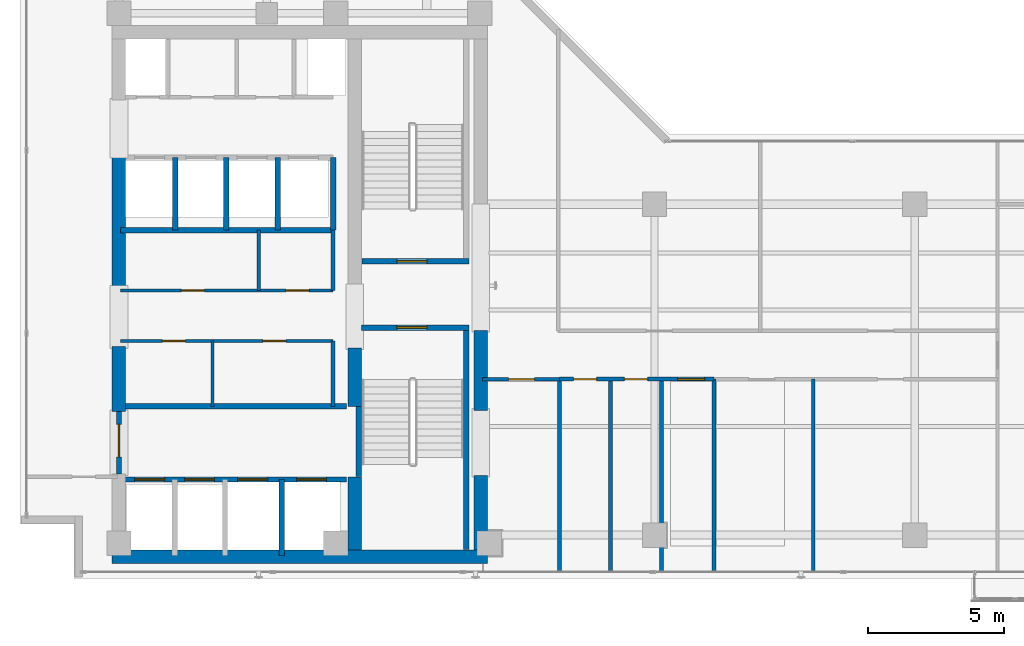
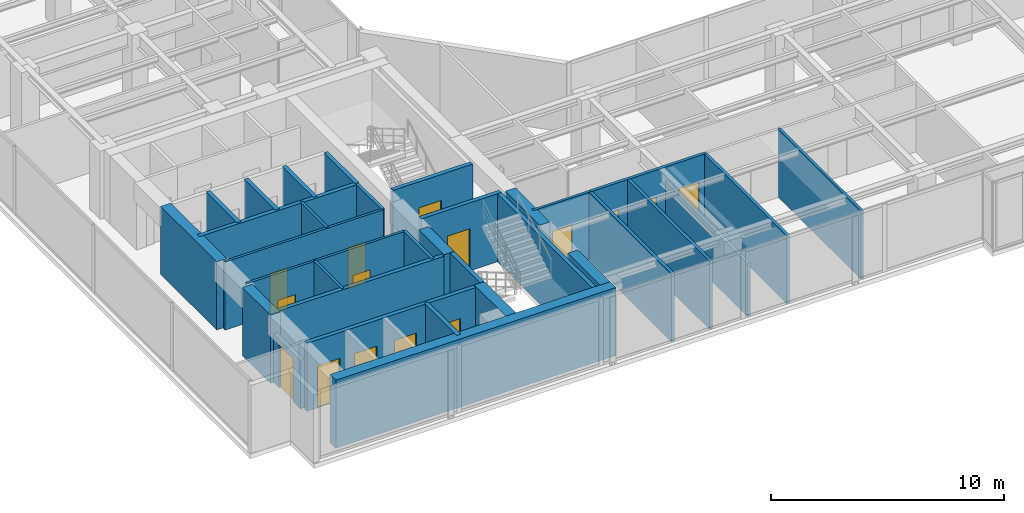
# One storey, part 16 of 22: 33 walls, 15 doors, 15 openings.
"""IFC4 building model written with IfcOpenShell, lengths in metres."""

from ifc_helpers import new_model, si_unit, direction, frame, frame_2d, origin, place, context, subcontext, project, spatial, rectangle, extrude, material, layer, layer_set, type_object, element, fill, save


model = new_model("IFC4")

# Units and contexts
model_context = context("Model", 3, precision=1e-05, world=origin(), true_north=direction((0.0, 1.0)))
body_context = subcontext(model_context, "Body", "Model", "MODEL_VIEW")
ifc_project = project(units=[si_unit("LENGTHUNIT", "METRE"), si_unit("AREAUNIT", "SQUARE_METRE"), si_unit("VOLUMEUNIT", "CUBIC_METRE"), si_unit("PLANEANGLEUNIT", "RADIAN"), si_unit("MASSUNIT", "GRAM", prefix="KILO")], contexts=[model_context])

# Site, building, storey
site_placement = place(None, origin())
site = spatial("IfcSite", under=ifc_project, at=site_placement, CompositionType="ELEMENT")
building_placement = place(site_placement, origin())
building = spatial("IfcBuilding", under=site, at=building_placement, Name="Kolvaren Waterfront Exchange", CompositionType="ELEMENT")
storey_placement = place(building_placement, frame((0.0, 0.0, 274.199951171875)))
storey = spatial("IfcBuildingStorey", under=building, at=storey_placement, Name="L70", CompositionType="ELEMENT", Elevation=274.199951171875)

# Wall, opening, door
ifc_material_1 = material(Name="Precast concrete C40/50", Category="concrete")
ifc_layer_1 = layer(ifc_material_1, 0.199951171875, Name="Precast concrete C40/50")
ifc_layer_set_1 = layer_set([ifc_layer_1], Name="Precast concrete C40/50")
wall_type_1 = type_object("IfcWallType", Name="ARC-FIRE-200", PredefinedType="PARTITIONING", material=ifc_layer_set_1)
wall_1_placement = place(storey_placement, frame((16.39990234375, 12.85009765625, 0.0), z_axis=(0.0, 0.0, 1.0), x_axis=(1.0, 0.0, 0.0)))
wall_1 = element("IfcWall", 1, at=wall_1_placement, inside=storey, type_object=wall_type_1, Name="L70 interior wall PW-L70-ST1-THROAT-S", PredefinedType="PARTITIONING", context=body_context, shape_type="SweptSolid", body=[
    extrude(rectangle(XDim=3.960205078125, YDim=0.199951171875, at=frame_2d((1.97998046875, 0.0))), origin(), (0.0, 0.0, 1.0), 3.56005859375),
])
opening_1_placement = place(wall_1_placement, frame((1.3037109375, 0.0, 0.0)))
opening_1 = element("IfcOpeningElement", 2, at=opening_1_placement, cuts=wall_1, Name="Opening FD2", PredefinedType="OPENING", context=body_context, shape_type="SweptSolid", body=[
    extrude(rectangle(XDim=1.10009765625, YDim=2.199951171875, at=frame_2d((0.550048828125, 1.10009765625))), frame((0.0, 0.10986328125, 0.0), z_axis=(0.0, -1.0, 0.0), x_axis=(1.0, 0.0, 0.0)), (0.0, 0.0, 1.0), 0.219970703125),
])
ifc_material_2 = material(Name="Pressed steel smoke-seal fire door", Category="steel")
door_type_1 = type_object("IfcDoorType", Name="ARC-FD-1100", OperationType="NOTDEFINED", PredefinedType="DOOR", material=ifc_material_2)
door_1_placement = place(opening_1_placement, frame((1.10009765625, 0.0, 0.0), z_axis=(0.0, 0.0, 1.0), x_axis=(-1.0, 0.0, 0.0)))
door_1 = element("IfcDoor", 3, at=door_1_placement, inside=storey, type_object=door_type_1, Name="L70 door DR-L70-ST1-IN (FD2)", OperationType="SINGLE_SWING_LEFT", OverallHeight=2.199951171875, OverallWidth=1.10009765625, PredefinedType="DOOR", context=body_context, shape_type="SweptSolid", body=[
    extrude(rectangle(XDim=1.10009765625, YDim=2.199951171875, at=frame_2d((0.550048828125, 1.10009765625))), frame((0.0, 0.02490234375, 0.0), z_axis=(0.0, -1.0, 0.0), x_axis=(1.0, 0.0, 0.0)), (0.0, 0.0, 1.0), 0.050048828125),
])
fill(opening_1, door_1)

wall_2_placement = place(storey_placement, frame((16.409912109375, 15.300048828125, 0.0), z_axis=(0.0, 0.0, 1.0), x_axis=(1.0, 0.0, 0.0)))
wall_2 = element("IfcWall", 4, at=wall_2_placement, inside=storey, type_object=wall_type_1, Name="L70 interior wall PW-L70-ST2-THROAT-N", PredefinedType="PARTITIONING", context=body_context, shape_type="SweptSolid", body=[
    extrude(rectangle(XDim=3.9501953125, YDim=0.199951171875, at=frame_2d((1.97509765625, 0.0))), origin(), (0.0, 0.0, 1.0), 3.56005859375),
])
opening_2_placement = place(wall_2_placement, frame((1.293701171875, 0.0, 0.0)))
opening_2 = element("IfcOpeningElement", 5, at=opening_2_placement, cuts=wall_2, Name="Opening FD2", PredefinedType="OPENING", context=body_context, shape_type="SweptSolid", body=[
    extrude(rectangle(XDim=1.10009765625, YDim=2.199951171875, at=frame_2d((0.550048828125, 1.10009765625))), frame((0.0, 0.10986328125, 0.0), z_axis=(0.0, -1.0, 0.0), x_axis=(1.0, 0.0, 0.0)), (0.0, 0.0, 1.0), 0.219970703125),
])
door_2_placement = place(opening_2_placement, origin())
door_2 = element("IfcDoor", 6, at=door_2_placement, inside=storey, type_object=door_type_1, Name="L70 door DR-L70-ST2-IN (FD2)", OperationType="SINGLE_SWING_RIGHT", OverallHeight=2.199951171875, OverallWidth=1.10009765625, PredefinedType="DOOR", context=body_context, shape_type="SweptSolid", body=[
    extrude(rectangle(XDim=1.10009765625, YDim=2.199951171875, at=frame_2d((0.550048828125, 1.10009765625))), frame((0.0, 0.02490234375, 0.0), z_axis=(0.0, -1.0, 0.0), x_axis=(1.0, 0.0, 0.0)), (0.0, 0.0, 1.0), 0.050048828125),
])
fill(opening_2, door_2)

# Wall
wall_3_placement = place(storey_placement, frame((7.5, 9.949951171875, 0.0), z_axis=(0.0, 0.0, 1.0), x_axis=(1.0, 0.0, 0.0)))
element("IfcWall", 7, at=wall_3_placement, inside=storey, type_object=wall_type_1, Name="L70 interior wall PW-L70-FF-N", PredefinedType="PARTITIONING", context=body_context, shape_type="SweptSolid", body=[
    extrude(rectangle(XDim=8.35009765625, YDim=0.199951171875, at=frame_2d((4.175048828125, 0.0))), origin(), (0.0, 0.0, 1.0), 3.56005859375),
])

# Wall, opening, door
wall_4_placement = place(storey_placement, frame((7.449951171875, 7.449951171875, 0.0), z_axis=(0.0, 0.0, 1.0), x_axis=(0.0, 1.0, 0.0)))
wall_4 = element("IfcWall", 8, at=wall_4_placement, inside=storey, type_object=wall_type_1, Name="L70 interior wall PW-L70-FF-W-DOOR", PredefinedType="PARTITIONING", context=body_context, shape_type="SweptSolid", body=[
    extrude(rectangle(XDim=2.300048828125, YDim=0.199951171875, at=frame_2d((1.14990234375, 0.0))), origin(), (0.0, 0.0, 1.0), 2.5400390625),
])
opening_3_placement = place(wall_4_placement, frame((0.63330078125, 0.0, 0.0)))
opening_3 = element("IfcOpeningElement", 9, at=opening_3_placement, cuts=wall_4, Name="Opening FD3", PredefinedType="OPENING", context=body_context, shape_type="SweptSolid", body=[
    extrude(rectangle(XDim=1.199951171875, YDim=2.25, at=frame_2d((0.60009765625, 1.125))), frame((0.0, 0.10986328125, 0.0), z_axis=(0.0, -1.0, 0.0), x_axis=(1.0, 0.0, 0.0)), (0.0, 0.0, 1.0), 0.219970703125),
])
ifc_material_3 = material(Name="Pressed steel fire door", Category="steel")
door_type_2 = type_object("IfcDoorType", Name="ARC-FD-1200", OperationType="NOTDEFINED", PredefinedType="DOOR", material=ifc_material_3)
door_3_placement = place(opening_3_placement, frame((1.199951171875, 0.0, 0.0), z_axis=(0.0, 0.0, 1.0), x_axis=(-1.0, 0.0, 0.0)))
door_3 = element("IfcDoor", 10, at=door_3_placement, inside=storey, type_object=door_type_2, Name="L70 door DR-L70-FF-OUT (FD3)", OperationType="SINGLE_SWING_LEFT", OverallHeight=2.25, OverallWidth=1.199951171875, PredefinedType="DOOR", context=body_context, shape_type="SweptSolid", body=[
    extrude(rectangle(XDim=1.199951171875, YDim=2.25, at=frame_2d((0.60009765625, 1.125))), frame((0.0, 0.02490234375, 0.0), z_axis=(0.0, -1.0, 0.0), x_axis=(1.0, 0.0, 0.0)), (0.0, 0.0, 1.0), 0.050048828125),
])
fill(opening_3, door_3)

# Wall, openings, doors
ifc_material_4 = material(Name="Acoustic gypsum steel stud", Category="steel")
ifc_layer_2 = layer(ifc_material_4, 0.125, Name="Acoustic gypsum steel stud")
ifc_layer_set_2 = layer_set([ifc_layer_2], Name="Acoustic gypsum steel stud")
wall_type_2 = type_object("IfcWallType", Name="ARC-PART-125", PredefinedType="PARTITIONING", material=ifc_layer_set_2)
wall_5_placement = place(storey_placement, frame((7.5, 12.360107421875, 0.0), z_axis=(0.0, 0.0, 1.0), x_axis=(1.0, 0.0, 0.0)))
wall_5 = element("IfcWall", 11, at=wall_5_placement, inside=storey, type_object=wall_type_2, Name="L70 interior wall PW-L70-REC-HI-S", PredefinedType="PARTITIONING", context=body_context, shape_type="SweptSolid", body=[
    extrude(rectangle(XDim=7.85009765625, YDim=0.125, at=frame_2d((3.925048828125, 0.0))), origin(), (0.0, 0.0, 1.0), 3.56005859375),
])
opening_4_placement = place(wall_5_placement, frame((1.550048828125, 0.0, 0.0)))
opening_4 = element("IfcOpeningElement", 12, at=opening_4_placement, cuts=wall_5, Name="Opening D01", PredefinedType="OPENING", context=body_context, shape_type="SweptSolid", body=[
    extrude(rectangle(XDim=0.85009765625, YDim=2.14990234375, at=frame_2d((0.425048828125, 1.074951171875))), frame((0.0, 0.072509765625, 0.0), z_axis=(0.0, -1.0, 0.0), x_axis=(1.0, 0.0, 0.0)), (0.0, 0.0, 1.0), 0.14501953125),
])
opening_5_placement = place(wall_5_placement, frame((5.2578125, 0.0, 0.0)))
opening_5 = element("IfcOpeningElement", 13, at=opening_5_placement, cuts=wall_5, Name="Opening D01", PredefinedType="OPENING", context=body_context, shape_type="SweptSolid", body=[
    extrude(rectangle(XDim=0.85009765625, YDim=2.14990234375, at=frame_2d((0.425048828125, 1.074951171875))), frame((0.0, 0.072509765625, 0.0), z_axis=(0.0, -1.0, 0.0), x_axis=(1.0, 0.0, 0.0)), (0.0, 0.0, 1.0), 0.14501953125),
])
ifc_material_5 = material(Name="Oak veneer timber leaf", Category="wood")
door_type_3 = type_object("IfcDoorType", Name="ARC-DR-900", OperationType="NOTDEFINED", PredefinedType="DOOR", material=ifc_material_5)
door_4_placement = place(opening_4_placement, origin())
door_4 = element("IfcDoor", 14, at=door_4_placement, inside=storey, type_object=door_type_3, Name="L70 door DR-L70-REC-HI-D1 (D01)", OperationType="SINGLE_SWING_RIGHT", OverallHeight=2.14990234375, OverallWidth=0.85009765625, PredefinedType="DOOR", context=body_context, shape_type="SweptSolid", body=[
    extrude(rectangle(XDim=0.85009765625, YDim=2.14990234375, at=frame_2d((0.425048828125, 1.074951171875))), frame((0.0, 0.02490234375, 0.0), z_axis=(0.0, -1.0, 0.0), x_axis=(1.0, 0.0, 0.0)), (0.0, 0.0, 1.0), 0.050048828125),
])
fill(opening_4, door_4)
door_5_placement = place(opening_5_placement, origin())
door_5 = element("IfcDoor", 15, at=door_5_placement, inside=storey, type_object=door_type_3, Name="L70 door DR-L70-REC-HI-D2 (D01)", OperationType="SINGLE_SWING_LEFT", OverallHeight=2.14990234375, OverallWidth=0.85009765625, PredefinedType="DOOR", context=body_context, shape_type="SweptSolid", body=[
    extrude(rectangle(XDim=0.85009765625, YDim=2.14990234375, at=frame_2d((0.425048828125, 1.074951171875))), frame((0.0, 0.02490234375, 0.0), z_axis=(0.0, -1.0, 0.0), x_axis=(1.0, 0.0, 0.0)), (0.0, 0.0, 1.0), 0.050048828125),
])
fill(opening_5, door_5)

wall_6_placement = place(storey_placement, frame((7.5, 14.219970703125, 0.0), z_axis=(0.0, 0.0, 1.0), x_axis=(1.0, 0.0, 0.0)))
wall_6 = element("IfcWall", 16, at=wall_6_placement, inside=storey, type_object=wall_type_2, Name="L70 interior wall PW-L70-REC-HI-N", PredefinedType="PARTITIONING", context=body_context, shape_type="SweptSolid", body=[
    extrude(rectangle(XDim=7.85009765625, YDim=0.125, at=frame_2d((3.925048828125, 0.0))), origin(), (0.0, 0.0, 1.0), 3.56005859375),
])
opening_6_placement = place(wall_6_placement, frame((2.25244140625, 0.0, 0.0)))
opening_6 = element("IfcOpeningElement", 17, at=opening_6_placement, cuts=wall_6, Name="Opening D01", PredefinedType="OPENING", context=body_context, shape_type="SweptSolid", body=[
    extrude(rectangle(XDim=0.85009765625, YDim=2.14990234375, at=frame_2d((0.425048828125, 1.074951171875))), frame((0.0, 0.072509765625, 0.0), z_axis=(0.0, -1.0, 0.0), x_axis=(1.0, 0.0, 0.0)), (0.0, 0.0, 1.0), 0.14501953125),
])
opening_7_placement = place(wall_6_placement, frame((6.111328125, 0.0, 0.0)))
opening_7 = element("IfcOpeningElement", 18, at=opening_7_placement, cuts=wall_6, Name="Opening D01", PredefinedType="OPENING", context=body_context, shape_type="SweptSolid", body=[
    extrude(rectangle(XDim=0.85009765625, YDim=2.14990234375, at=frame_2d((0.425048828125, 1.074951171875))), frame((0.0, 0.072509765625, 0.0), z_axis=(0.0, -1.0, 0.0), x_axis=(1.0, 0.0, 0.0)), (0.0, 0.0, 1.0), 0.14501953125),
])
door_6_placement = place(opening_6_placement, origin())
door_6 = element("IfcDoor", 19, at=door_6_placement, inside=storey, type_object=door_type_3, Name="L70 door DR-L70-REC-HI-D3 (D01)", OperationType="SINGLE_SWING_RIGHT", OverallHeight=2.14990234375, OverallWidth=0.85009765625, PredefinedType="DOOR", context=body_context, shape_type="SweptSolid", body=[
    extrude(rectangle(XDim=0.85009765625, YDim=2.14990234375, at=frame_2d((0.425048828125, 1.074951171875))), frame((0.0, 0.02490234375, 0.0), z_axis=(0.0, -1.0, 0.0), x_axis=(1.0, 0.0, 0.0)), (0.0, 0.0, 1.0), 0.050048828125),
])
fill(opening_6, door_6)
door_7_placement = place(opening_7_placement, origin())
door_7 = element("IfcDoor", 20, at=door_7_placement, inside=storey, type_object=door_type_3, Name="L70 door DR-L70-REC-HI-D4 (D01)", OperationType="SINGLE_SWING_LEFT", OverallHeight=2.14990234375, OverallWidth=0.85009765625, PredefinedType="DOOR", context=body_context, shape_type="SweptSolid", body=[
    extrude(rectangle(XDim=0.85009765625, YDim=2.14990234375, at=frame_2d((0.425048828125, 1.074951171875))), frame((0.0, 0.02490234375, 0.0), z_axis=(0.0, -1.0, 0.0), x_axis=(1.0, 0.0, 0.0)), (0.0, 0.0, 1.0), 0.050048828125),
])
fill(opening_7, door_7)

# Walls
wall_7_placement = place(storey_placement, frame((10.89990234375, 9.949951171875, 0.0), z_axis=(0.0, 0.0, 1.0), x_axis=(0.0, 1.0, 0.0)))
element("IfcWall", 21, at=wall_7_placement, inside=storey, type_object=wall_type_2, Name="L70 interior wall PW-L70-REC-HI-MS3", PredefinedType="PARTITIONING", context=body_context, shape_type="SweptSolid", body=[
    extrude(rectangle(XDim=2.41015625, YDim=0.125, at=frame_2d((1.205078125, 0.0))), origin(), (0.0, 0.0, 1.0), 3.56005859375),
])
wall_8_placement = place(storey_placement, frame((12.60009765625, 14.219970703125, 0.0), z_axis=(0.0, 0.0, 1.0), x_axis=(0.0, 1.0, 0.0)))
element("IfcWall", 22, at=wall_8_placement, inside=storey, type_object=wall_type_2, Name="L70 interior wall PW-L70-REC-HI-MN3", PredefinedType="PARTITIONING", context=body_context, shape_type="SweptSolid", body=[
    extrude(rectangle(XDim=2.22998046875, YDim=0.125, at=frame_2d((1.114990234375, 0.0))), origin(), (0.0, 0.0, 1.0), 3.56005859375),
])

# Wall, opening, door
wall_9_placement = place(storey_placement, frame((20.85009765625, 10.949951171875, 0.0), z_axis=(0.0, 0.0, 1.0), x_axis=(1.0, 0.0, 0.0)))
wall_9 = element("IfcWall", 23, at=wall_9_placement, inside=storey, type_object=wall_type_2, Name="L70 interior wall PW-L70-SWST3-N", PredefinedType="PARTITIONING", context=body_context, shape_type="SweptSolid", body=[
    extrude(rectangle(XDim=2.849853515625, YDim=0.125, at=frame_2d((1.4248046875, 0.0))), origin(), (0.0, 0.0, 1.0), 3.56005859375),
])
opening_8_placement = place(wall_9_placement, frame((0.971435546875, 0.0, 0.0)))
opening_8 = element("IfcOpeningElement", 24, at=opening_8_placement, cuts=wall_9, Name="Opening D02", PredefinedType="OPENING", context=body_context, shape_type="SweptSolid", body=[
    extrude(rectangle(XDim=0.949951171875, YDim=2.14990234375, at=frame_2d((0.47509765625, 1.074951171875))), frame((0.0, 0.072509765625, 0.0), z_axis=(0.0, -1.0, 0.0), x_axis=(1.0, 0.0, 0.0)), (0.0, 0.0, 1.0), 0.14501953125),
])
ifc_material_6 = material(Name="Oak veneer acoustic timber", Category="wood")
door_type_4 = type_object("IfcDoorType", Name="ARC-DR-950", OperationType="NOTDEFINED", PredefinedType="DOOR", material=ifc_material_6)
door_8_placement = place(opening_8_placement, origin())
door_8 = element("IfcDoor", 25, at=door_8_placement, inside=storey, type_object=door_type_4, Name="L70 door DR-L70-SWST3-D (D02)", OperationType="SINGLE_SWING_LEFT", OverallHeight=2.14990234375, OverallWidth=0.949951171875, PredefinedType="DOOR", context=body_context, shape_type="SweptSolid", body=[
    extrude(rectangle(XDim=0.949951171875, YDim=2.14990234375, at=frame_2d((0.47509765625, 1.074951171875))), frame((0.0, 0.02490234375, 0.0), z_axis=(0.0, -1.0, 0.0), x_axis=(1.0, 0.0, 0.0)), (0.0, 0.0, 1.0), 0.050048828125),
])
fill(opening_8, door_8)

# Walls
wall_10_placement = place(storey_placement, frame((33.06005859375, 3.840087890625, 0.0), z_axis=(0.0, 0.0, 1.0), x_axis=(0.0, 1.0, 0.0)))
element("IfcWall", 26, at=wall_10_placement, inside=storey, type_object=wall_type_2, Name="L70 interior wall PW-L70-ES-DIV-1", PredefinedType="PARTITIONING", context=body_context, shape_type="SweptSolid", body=[
    extrude(rectangle(XDim=7.10986328125, YDim=0.125, at=frame_2d((3.554931640625, 0.0))), origin(), (0.0, 0.0, 1.0), 3.56005859375),
])
ifc_material_7 = material(Name="Gypsum fireboard steel stud", Category="steel")
ifc_layer_3 = layer(ifc_material_7, 0.14990234375, Name="Gypsum fireboard steel stud")
ifc_layer_set_3 = layer_set([ifc_layer_3], Name="Gypsum fireboard steel stud")
wall_type_3 = type_object("IfcWallType", Name="ARC-PART-150", PredefinedType="PARTITIONING", material=ifc_layer_set_3)
wall_11_placement = place(storey_placement, frame((15.35009765625, 9.949951171875, 0.0), z_axis=(0.0, 0.0, 1.0), x_axis=(0.0, 1.0, 0.0)))
element("IfcWall", 27, at=wall_11_placement, inside=storey, type_object=wall_type_3, Name="L70 interior wall PW-L70-REC-HI-E1", PredefinedType="PARTITIONING", context=body_context, shape_type="SweptSolid", body=[
    extrude(rectangle(XDim=2.41015625, YDim=0.14990234375, at=frame_2d((1.205078125, 0.0))), origin(), (0.0, 0.0, 1.0), 3.56005859375),
])
wall_12_placement = place(storey_placement, frame((15.35009765625, 14.219970703125, 0.0), z_axis=(0.0, 0.0, 1.0), x_axis=(0.0, 1.0, 0.0)))
element("IfcWall", 28, at=wall_12_placement, inside=storey, type_object=wall_type_3, Name="L70 interior wall PW-L70-REC-HI-E2", PredefinedType="PARTITIONING", context=body_context, shape_type="SweptSolid", body=[
    extrude(rectangle(XDim=2.22998046875, YDim=0.14990234375, at=frame_2d((1.114990234375, 0.0))), origin(), (0.0, 0.0, 1.0), 3.56005859375),
])
ifc_material_8 = material(Name="Moisture-resistant gypsum stud")
ifc_layer_4 = layer(ifc_material_8, 0.14990234375, Name="Moisture-resistant gypsum stud")
ifc_layer_set_4 = layer_set([ifc_layer_4], Name="Moisture-resistant gypsum stud")
wall_type_4 = type_object("IfcWallType", Name="ARC-PLUMB-150", PredefinedType="PLUMBINGWALL", material=ifc_layer_set_4)
wall_13_placement = place(storey_placement, frame((23.699951171875, 3.840087890625, 0.0), z_axis=(0.0, 0.0, 1.0), x_axis=(0.0, 1.0, 0.0)))
element("IfcWall", 29, at=wall_13_placement, inside=storey, type_object=wall_type_4, Name="L70 interior wall PW-L70-WC-0", PredefinedType="PLUMBINGWALL", context=body_context, shape_type="SweptSolid", body=[
    extrude(rectangle(XDim=7.10986328125, YDim=0.14990234375, at=frame_2d((3.554931640625, 0.0))), origin(), (0.0, 0.0, 1.0), 3.56005859375),
])

# Wall, openings, doors
wall_14_placement = place(storey_placement, frame((23.699951171875, 10.949951171875, 0.0), z_axis=(0.0, 0.0, 1.0), x_axis=(1.0, 0.0, 0.0)))
wall_14 = element("IfcWall", 30, at=wall_14_placement, inside=storey, type_object=wall_type_4, Name="L70 interior wall PW-L70-WC-N", PredefinedType="PLUMBINGWALL", context=body_context, shape_type="SweptSolid", body=[
    extrude(rectangle(XDim=5.699951171875, YDim=0.14990234375, at=frame_2d((2.85009765625, 0.0))), origin(), (0.0, 0.0, 1.0), 3.56005859375),
])
opening_9_placement = place(wall_14_placement, frame((0.514892578125, 0.0, 0.0)))
opening_9 = element("IfcOpeningElement", 31, at=opening_9_placement, cuts=wall_14, Name="Opening D01", PredefinedType="OPENING", context=body_context, shape_type="SweptSolid", body=[
    extrude(rectangle(XDim=0.85009765625, YDim=2.14990234375, at=frame_2d((0.425048828125, 1.074951171875))), frame((0.0, 0.0849609375, 0.0), z_axis=(0.0, -1.0, 0.0), x_axis=(1.0, 0.0, 0.0)), (0.0, 0.0, 1.0), 0.169921875),
])
opening_10_placement = place(wall_14_placement, frame((2.39501953125, 0.0, 0.0)))
opening_10 = element("IfcOpeningElement", 32, at=opening_10_placement, cuts=wall_14, Name="Opening D01", PredefinedType="OPENING", context=body_context, shape_type="SweptSolid", body=[
    extrude(rectangle(XDim=0.85009765625, YDim=2.14990234375, at=frame_2d((0.425048828125, 1.074951171875))), frame((0.0, 0.0849609375, 0.0), z_axis=(0.0, -1.0, 0.0), x_axis=(1.0, 0.0, 0.0)), (0.0, 0.0, 1.0), 0.169921875),
])
opening_11_placement = place(wall_14_placement, frame((4.35009765625, 0.0, 0.0)))
opening_11 = element("IfcOpeningElement", 33, at=opening_11_placement, cuts=wall_14, Name="Opening D03", PredefinedType="OPENING", context=body_context, shape_type="SweptSolid", body=[
    extrude(rectangle(XDim=1.0, YDim=2.199951171875, at=frame_2d((0.5, 1.10009765625))), frame((0.0, 0.0849609375, 0.0), z_axis=(0.0, -1.0, 0.0), x_axis=(1.0, 0.0, 0.0)), (0.0, 0.0, 1.0), 0.169921875),
])
ifc_material_9 = material(Name="Oak veneer accessible timber", Category="wood")
door_type_5 = type_object("IfcDoorType", Name="ARC-DR-1000", OperationType="NOTDEFINED", PredefinedType="DOOR", material=ifc_material_9)
door_9_placement = place(opening_11_placement, origin())
door_9 = element("IfcDoor", 34, at=door_9_placement, inside=storey, type_object=door_type_5, Name="L70 door DR-L70-WCA-D (D03)", OperationType="SINGLE_SWING_LEFT", OverallHeight=2.199951171875, OverallWidth=1.0, PredefinedType="DOOR", context=body_context, shape_type="SweptSolid", body=[
    extrude(rectangle(XDim=1.0, YDim=2.199951171875, at=frame_2d((0.5, 1.10009765625))), frame((0.0, 0.02490234375, 0.0), z_axis=(0.0, -1.0, 0.0), x_axis=(1.0, 0.0, 0.0)), (0.0, 0.0, 1.0), 0.050048828125),
])
fill(opening_11, door_9)
door_10_placement = place(opening_9_placement, origin())
door_10 = element("IfcDoor", 35, at=door_10_placement, inside=storey, type_object=door_type_3, Name="L70 door DR-L70-WCM-D (D01)", OperationType="SINGLE_SWING_LEFT", OverallHeight=2.14990234375, OverallWidth=0.85009765625, PredefinedType="DOOR", context=body_context, shape_type="SweptSolid", body=[
    extrude(rectangle(XDim=0.85009765625, YDim=2.14990234375, at=frame_2d((0.425048828125, 1.074951171875))), frame((0.0, 0.02490234375, 0.0), z_axis=(0.0, -1.0, 0.0), x_axis=(1.0, 0.0, 0.0)), (0.0, 0.0, 1.0), 0.050048828125),
])
fill(opening_9, door_10)
door_11_placement = place(opening_10_placement, origin())
door_11 = element("IfcDoor", 36, at=door_11_placement, inside=storey, type_object=door_type_3, Name="L70 door DR-L70-WCF-D (D01)", OperationType="SINGLE_SWING_RIGHT", OverallHeight=2.14990234375, OverallWidth=0.85009765625, PredefinedType="DOOR", context=body_context, shape_type="SweptSolid", body=[
    extrude(rectangle(XDim=0.85009765625, YDim=2.14990234375, at=frame_2d((0.425048828125, 1.074951171875))), frame((0.0, 0.02490234375, 0.0), z_axis=(0.0, -1.0, 0.0), x_axis=(1.0, 0.0, 0.0)), (0.0, 0.0, 1.0), 0.050048828125),
])
fill(opening_10, door_11)

# Walls
wall_15_placement = place(storey_placement, frame((25.580078125, 3.840087890625, 0.0), z_axis=(0.0, 0.0, 1.0), x_axis=(0.0, 1.0, 0.0)))
element("IfcWall", 37, at=wall_15_placement, inside=storey, type_object=wall_type_4, Name="L70 interior wall PW-L70-WC-1", PredefinedType="PLUMBINGWALL", context=body_context, shape_type="SweptSolid", body=[
    extrude(rectangle(XDim=7.10986328125, YDim=0.14990234375, at=frame_2d((3.554931640625, 0.0))), origin(), (0.0, 0.0, 1.0), 3.56005859375),
])
wall_16_placement = place(storey_placement, frame((27.4599609375, 3.840087890625, 0.0), z_axis=(0.0, 0.0, 1.0), x_axis=(0.0, 1.0, 0.0)))
element("IfcWall", 38, at=wall_16_placement, inside=storey, type_object=wall_type_4, Name="L70 interior wall PW-L70-WC-2", PredefinedType="PLUMBINGWALL", context=body_context, shape_type="SweptSolid", body=[
    extrude(rectangle(XDim=7.10986328125, YDim=0.14990234375, at=frame_2d((3.554931640625, 0.0))), origin(), (0.0, 0.0, 1.0), 2.798095703125),
])
wall_17_placement = place(storey_placement, frame((29.39990234375, 3.840087890625, 0.0), z_axis=(0.0, 0.0, 1.0), x_axis=(0.0, 1.0, 0.0)))
element("IfcWall", 39, at=wall_17_placement, inside=storey, type_object=wall_type_4, Name="L70 interior wall PW-L70-WC-3", PredefinedType="PLUMBINGWALL", context=body_context, shape_type="SweptSolid", body=[
    extrude(rectangle(XDim=7.10986328125, YDim=0.14990234375, at=frame_2d((3.554931640625, 0.0))), origin(), (0.0, 0.0, 1.0), 3.56005859375),
])
ifc_material_10 = material(Name="Concrete C40/50", Category="concrete")
ifc_layer_5 = layer(ifc_material_10, 0.199951171875, Name="Concrete C40/50")
ifc_layer_set_5 = layer_set([ifc_layer_5], Name="Concrete C40/50")
wall_type_5 = type_object("IfcWallType", Name="ARC-SHAFT-200", PredefinedType="PARTITIONING", material=ifc_layer_set_5)
wall_18_placement = place(storey_placement, frame((16.300048828125, 7.360107421875, 0.0), z_axis=(0.0, 0.0, 1.0), x_axis=(0.0, 1.0, 0.0)))
element("IfcWall", 40, at=wall_18_placement, inside=storey, type_object=wall_type_5, Name="L70 structural stairwell wall PW-L70-ST1-W", PredefinedType="SHEAR", context=body_context, shape_type="SweptSolid", body=[
    extrude(rectangle(XDim=2.579833984375, YDim=0.199951171875, at=frame_2d((1.2900390625, 0.0))), origin(), (0.0, 0.0, 1.0), 3.56005859375),
])
wall_19_placement = place(storey_placement, frame((20.260009765625, 4.659912109375, 0.0), z_axis=(0.0, 0.0, 1.0), x_axis=(0.0, 1.0, 0.0)))
element("IfcWall", 41, at=wall_19_placement, inside=storey, type_object=wall_type_5, Name="L70 structural stairwell wall PW-L70-ST1-E", PredefinedType="SHEAR", context=body_context, shape_type="SweptSolid", body=[
    extrude(rectangle(XDim=8.090087890625, YDim=0.199951171875, at=frame_2d((4.044921875, 0.0))), origin(), (0.0, 0.0, 1.0), 3.56005859375),
])

# Wall, openings, doors
wall_20_placement = place(storey_placement, frame((7.5, 7.25, 0.0), z_axis=(0.0, 0.0, 1.0), x_axis=(1.0, 0.0, 0.0)))
wall_20 = element("IfcWall", 42, at=wall_20_placement, inside=storey, type_object=wall_type_5, Name="L70 interior wall PW-L70-FF-S", PredefinedType="PARTITIONING", context=body_context, shape_type="SweptSolid", body=[
    extrude(rectangle(XDim=8.35009765625, YDim=0.199951171875, at=frame_2d((4.175048828125, 0.0))), origin(), (0.0, 0.0, 1.0), 3.56005859375),
])
opening_12_placement = place(wall_20_placement, frame((0.530029296875, 0.0, 0.0)))
opening_12 = element("IfcOpeningElement", 43, at=opening_12_placement, cuts=wall_20, Name="Opening LD1", PredefinedType="OPENING", context=body_context, shape_type="SweptSolid", body=[
    extrude(rectangle(XDim=1.10009765625, YDim=2.199951171875, at=frame_2d((0.550048828125, 1.10009765625))), frame((0.0, 0.10986328125, 0.0), z_axis=(0.0, -1.0, 0.0), x_axis=(1.0, 0.0, 0.0)), (0.0, 0.0, 1.0), 0.219970703125),
])
opening_13_placement = place(wall_20_placement, frame((2.3701171875, 0.0, 0.0)))
opening_13 = element("IfcOpeningElement", 44, at=opening_13_placement, cuts=wall_20, Name="Opening LD1", PredefinedType="OPENING", context=body_context, shape_type="SweptSolid", body=[
    extrude(rectangle(XDim=1.10009765625, YDim=2.199951171875, at=frame_2d((0.550048828125, 1.10009765625))), frame((0.0, 0.10986328125, 0.0), z_axis=(0.0, -1.0, 0.0), x_axis=(1.0, 0.0, 0.0)), (0.0, 0.0, 1.0), 0.219970703125),
])
opening_14_placement = place(wall_20_placement, frame((4.330078125, 0.0, 0.0)))
opening_14 = element("IfcOpeningElement", 45, at=opening_14_placement, cuts=wall_20, Name="Opening LD1", PredefinedType="OPENING", context=body_context, shape_type="SweptSolid", body=[
    extrude(rectangle(XDim=1.10009765625, YDim=2.199951171875, at=frame_2d((0.550048828125, 1.10009765625))), frame((0.0, 0.10986328125, 0.0), z_axis=(0.0, -1.0, 0.0), x_axis=(1.0, 0.0, 0.0)), (0.0, 0.0, 1.0), 0.219970703125),
])
opening_15_placement = place(wall_20_placement, frame((6.5, 0.0, 0.0)))
opening_15 = element("IfcOpeningElement", 46, at=opening_15_placement, cuts=wall_20, Name="Opening LD1", PredefinedType="OPENING", context=body_context, shape_type="SweptSolid", body=[
    extrude(rectangle(XDim=1.10009765625, YDim=2.199951171875, at=frame_2d((0.550048828125, 1.10009765625))), frame((0.0, 0.10986328125, 0.0), z_axis=(0.0, -1.0, 0.0), x_axis=(1.0, 0.0, 0.0)), (0.0, 0.0, 1.0), 0.219970703125),
])
ifc_material_11 = material(Name="Stainless steel sliding landing door", Category="steel")
door_type_6 = type_object("IfcDoorType", Name="ARC-LD-FF", OperationType="SLIDING_TO_LEFT", PredefinedType="DOOR", material=ifc_material_11)
door_12_placement = place(opening_12_placement, origin())
door_12 = element("IfcDoor", 47, at=door_12_placement, inside=storey, type_object=door_type_6, Name="L70 door LD-L70-FFL1 (LD1)", OperationType="SLIDING_TO_LEFT", OverallHeight=2.199951171875, OverallWidth=1.10009765625, PredefinedType="DOOR", context=body_context, shape_type="SweptSolid", body=[
    extrude(rectangle(XDim=1.10009765625, YDim=2.199951171875, at=frame_2d((0.550048828125, 1.10009765625))), frame((0.0, 0.02490234375, 0.0), z_axis=(0.0, -1.0, 0.0), x_axis=(1.0, 0.0, 0.0)), (0.0, 0.0, 1.0), 0.050048828125),
])
fill(opening_12, door_12)
door_13_placement = place(opening_13_placement, origin())
door_13 = element("IfcDoor", 48, at=door_13_placement, inside=storey, type_object=door_type_6, Name="L70 door LD-L70-FFL2 (LD1)", OperationType="SLIDING_TO_LEFT", OverallHeight=2.199951171875, OverallWidth=1.10009765625, PredefinedType="DOOR", context=body_context, shape_type="SweptSolid", body=[
    extrude(rectangle(XDim=1.10009765625, YDim=2.199951171875, at=frame_2d((0.550048828125, 1.10009765625))), frame((0.0, 0.02490234375, 0.0), z_axis=(0.0, -1.0, 0.0), x_axis=(1.0, 0.0, 0.0)), (0.0, 0.0, 1.0), 0.050048828125),
])
fill(opening_13, door_13)
door_14_placement = place(opening_14_placement, origin())
door_14 = element("IfcDoor", 49, at=door_14_placement, inside=storey, type_object=door_type_6, Name="L70 door LD-L70-GL1 (LD1)", OperationType="SLIDING_TO_LEFT", OverallHeight=2.199951171875, OverallWidth=1.10009765625, PredefinedType="DOOR", context=body_context, shape_type="SweptSolid", body=[
    extrude(rectangle(XDim=1.10009765625, YDim=2.199951171875, at=frame_2d((0.550048828125, 1.10009765625))), frame((0.0, 0.02490234375, 0.0), z_axis=(0.0, -1.0, 0.0), x_axis=(1.0, 0.0, 0.0)), (0.0, 0.0, 1.0), 0.050048828125),
])
fill(opening_14, door_14)
door_15_placement = place(opening_15_placement, origin())
door_15 = element("IfcDoor", 50, at=door_15_placement, inside=storey, type_object=door_type_6, Name="L70 door LD-L70-GL2 (LD1)", OperationType="SLIDING_TO_LEFT", OverallHeight=2.199951171875, OverallWidth=1.10009765625, PredefinedType="DOOR", context=body_context, shape_type="SweptSolid", body=[
    extrude(rectangle(XDim=1.10009765625, YDim=2.199951171875, at=frame_2d((0.550048828125, 1.10009765625))), frame((0.0, 0.02490234375, 0.0), z_axis=(0.0, -1.0, 0.0), x_axis=(1.0, 0.0, 0.0)), (0.0, 0.0, 1.0), 0.050048828125),
])
fill(opening_15, door_15)

# Walls
wall_21_placement = place(storey_placement, frame((13.4599609375, 4.449951171875, 0.0), z_axis=(0.0, 0.0, 1.0), x_axis=(0.0, 1.0, 0.0)))
element("IfcWall", 51, at=wall_21_placement, inside=storey, type_object=wall_type_5, Name="L70 interior wall PW-L70-SH1-DIV-134", PredefinedType="PARTITIONING", context=body_context, shape_type="SweptSolid", body=[
    extrude(rectangle(XDim=2.800048828125, YDim=0.199951171875, at=frame_2d((1.39990234375, 0.0))), origin(), (0.0, 0.0, 1.0), 3.56005859375),
])
wall_22_placement = place(storey_placement, frame((7.5, 16.449951171875, 0.0), z_axis=(0.0, 0.0, 1.0), x_axis=(1.0, 0.0, 0.0)))
element("IfcWall", 52, at=wall_22_placement, inside=storey, type_object=wall_type_5, Name="L70 interior wall PW-L70-REC-PM-N", PredefinedType="PARTITIONING", context=body_context, shape_type="SweptSolid", body=[
    extrude(rectangle(XDim=7.85009765625, YDim=0.199951171875, at=frame_2d((3.925048828125, 0.0))), origin(), (0.0, 0.0, 1.0), 3.56005859375),
])
for number, where, z_axis, x_axis, name in (
    (53, (15.35009765625, 16.449951171875, 0.0), (0.0, 0.0, 1.0), (0.0, 1.0, 0.0), "L70 interior wall PW-L70-PH-E"),
    (54, (9.52001953125, 16.449951171875, 0.0), (0.0, 0.0, 1.0), (0.0, 1.0, 0.0), "L70 interior wall PW-L70-SH4-DIV-95"),
    (55, (11.409912109375, 16.449951171875, 0.0), (0.0, 0.0, 1.0), (0.0, 1.0, 0.0), "L70 interior wall PW-L70-SH4-DIV-114"),
    (56, (13.300048828125, 16.449951171875, 0.0), (0.0, 0.0, 1.0), (0.0, 1.0, 0.0), "L70 interior wall PW-L70-SH4-DIV-133"),
):
    element("IfcWall", number, at=place(storey_placement, frame(where, z_axis=z_axis, x_axis=x_axis)), inside=storey, type_object=wall_type_5, Name=name, PredefinedType="PARTITIONING", context=body_context, shape_type="SweptSolid", body=[
        extrude(rectangle(XDim=2.670166015625, YDim=0.199951171875, at=frame_2d((1.3349609375, 0.0))), origin(), (0.0, 0.0, 1.0), 3.56005859375),
    ])
ifc_material_12 = material(Name="Concrete C50/60", Category="concrete")
ifc_layer_6 = layer(ifc_material_12, 0.5, Name="Concrete C50/60")
ifc_layer_set_6 = layer_set([ifc_layer_6], Name="Concrete C50/60")
wall_type_6 = type_object("IfcWallType", Name="STR-CWALL-500", PredefinedType="SHEAR", material=ifc_layer_set_6)
wall_23_placement = place(storey_placement, frame((7.199951171875, 4.39990234375, 0.0), z_axis=(0.0, 0.0, 1.0), x_axis=(1.0, 0.0, 0.0)))
element("IfcWall", 57, at=wall_23_placement, inside=storey, type_object=wall_type_6, Name="L70 rear-core shear wall S", PredefinedType="SHEAR", context=body_context, shape_type="SweptSolid", body=[
    extrude(rectangle(XDim=13.85009765625, YDim=0.5, at=frame_2d((6.925048828125, 0.0))), origin(), (0.0, 0.0, 1.0), 3.56005859375),
])
wall_24_placement = place(storey_placement, frame((7.449951171875, 9.75, 0.0), z_axis=(0.0, 0.0, 1.0), x_axis=(0.0, 1.0, 0.0)))
element("IfcWall", 58, at=wall_24_placement, inside=storey, type_object=wall_type_6, Name="L70 rear-core shear wall W2A", PredefinedType="SHEAR", context=body_context, shape_type="SweptSolid", body=[
    extrude(rectangle(XDim=2.39990234375, YDim=0.5, at=frame_2d((1.199951171875, 0.0))), origin(), (0.0, 0.0, 1.0), 3.56005859375),
])
wall_25_placement = place(storey_placement, frame((7.449951171875, 14.35009765625, 0.0), z_axis=(0.0, 0.0, 1.0), x_axis=(0.0, 1.0, 0.0)))
element("IfcWall", 59, at=wall_25_placement, inside=storey, type_object=wall_type_6, Name="L70 rear-core shear wall W2B", PredefinedType="SHEAR", context=body_context, shape_type="SweptSolid", body=[
    extrude(rectangle(XDim=4.809814453125, YDim=0.5, at=frame_2d((2.40478515625, 0.0))), origin(), (0.0, 0.0, 1.0), 3.56005859375),
])
wall_26_placement = place(storey_placement, frame((20.800048828125, 4.64990234375, 0.0), z_axis=(0.0, 0.0, 1.0), x_axis=(0.0, 1.0, 0.0)))
element("IfcWall", 60, at=wall_26_placement, inside=storey, type_object=wall_type_6, Name="L70 rear-core shear wall E1", PredefinedType="SHEAR", context=body_context, shape_type="SweptSolid", body=[
    extrude(rectangle(XDim=2.75, YDim=0.5, at=frame_2d((1.375, 0.0))), origin(), (0.0, 0.0, 1.0), 3.56005859375),
])
wall_27_placement = place(storey_placement, frame((20.800048828125, 9.800048828125, 0.0), z_axis=(0.0, 0.0, 1.0), x_axis=(0.0, 1.0, 0.0)))
element("IfcWall", 61, at=wall_27_placement, inside=storey, type_object=wall_type_6, Name="L70 rear-core shear wall E2", PredefinedType="SHEAR", context=body_context, shape_type="SweptSolid", body=[
    extrude(rectangle(XDim=2.949951171875, YDim=0.5, at=frame_2d((1.47509765625, 0.0))), origin(), (0.0, 0.0, 1.0), 3.56005859375),
])
wall_28_placement = place(storey_placement, frame((16.14990234375, 4.64990234375, 0.0), z_axis=(0.0, 0.0, 1.0), x_axis=(0.0, 1.0, 0.0)))
element("IfcWall", 62, at=wall_28_placement, inside=storey, type_object=wall_type_6, Name="L70 rear-core shear wall M1", PredefinedType="SHEAR", context=body_context, shape_type="SweptSolid", body=[
    extrude(rectangle(XDim=2.7001953125, YDim=0.5, at=frame_2d((1.35009765625, 0.0))), origin(), (0.0, 0.0, 1.0), 3.56005859375),
])
wall_29_placement = place(storey_placement, frame((16.14990234375, 9.949951171875, 0.0), z_axis=(0.0, 0.0, 1.0), x_axis=(0.0, 1.0, 0.0)))
element("IfcWall", 63, at=wall_29_placement, inside=storey, type_object=wall_type_6, Name="L70 rear-core shear wall M2", PredefinedType="SHEAR", context=body_context, shape_type="SweptSolid", body=[
    extrude(rectangle(XDim=2.150146484375, YDim=0.5, at=frame_2d((1.0751953125, 0.0))), origin(), (0.0, 0.0, 1.0), 3.56005859375),
])

save(model, "model.ifc")
